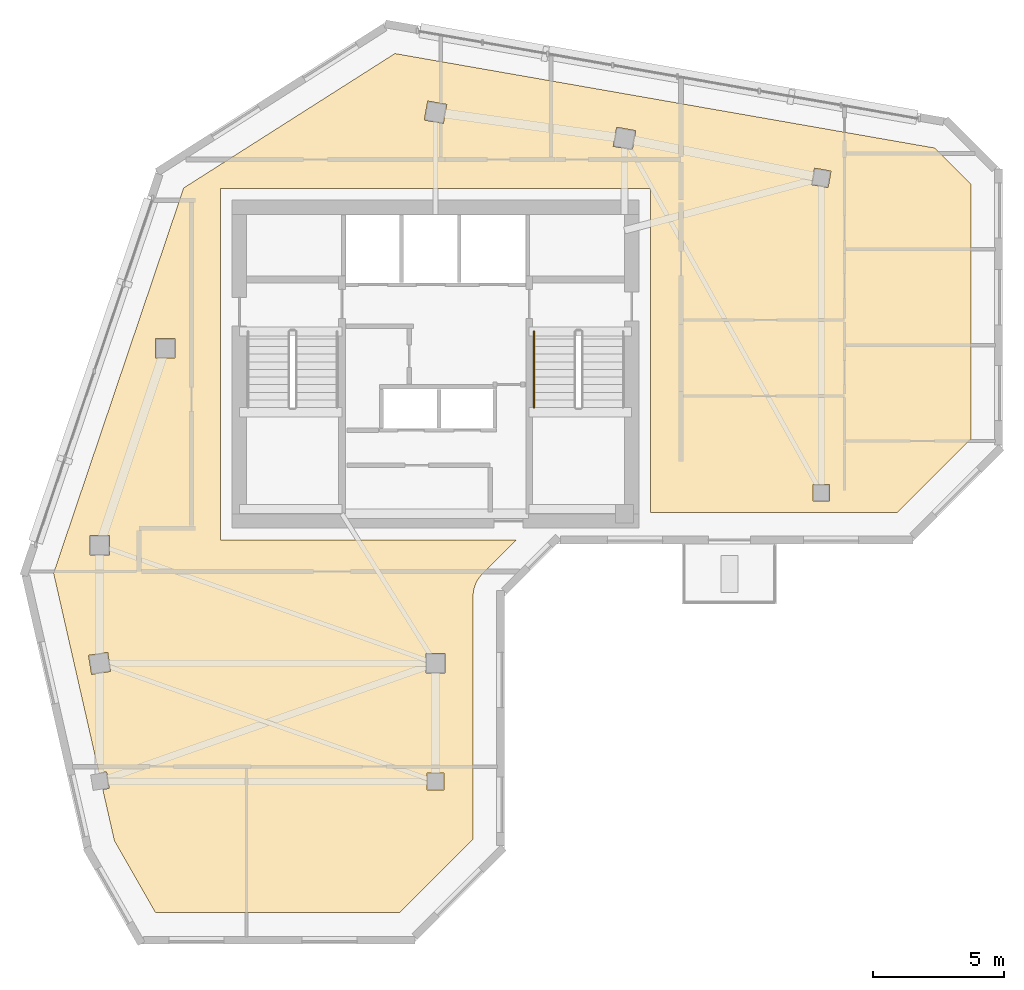
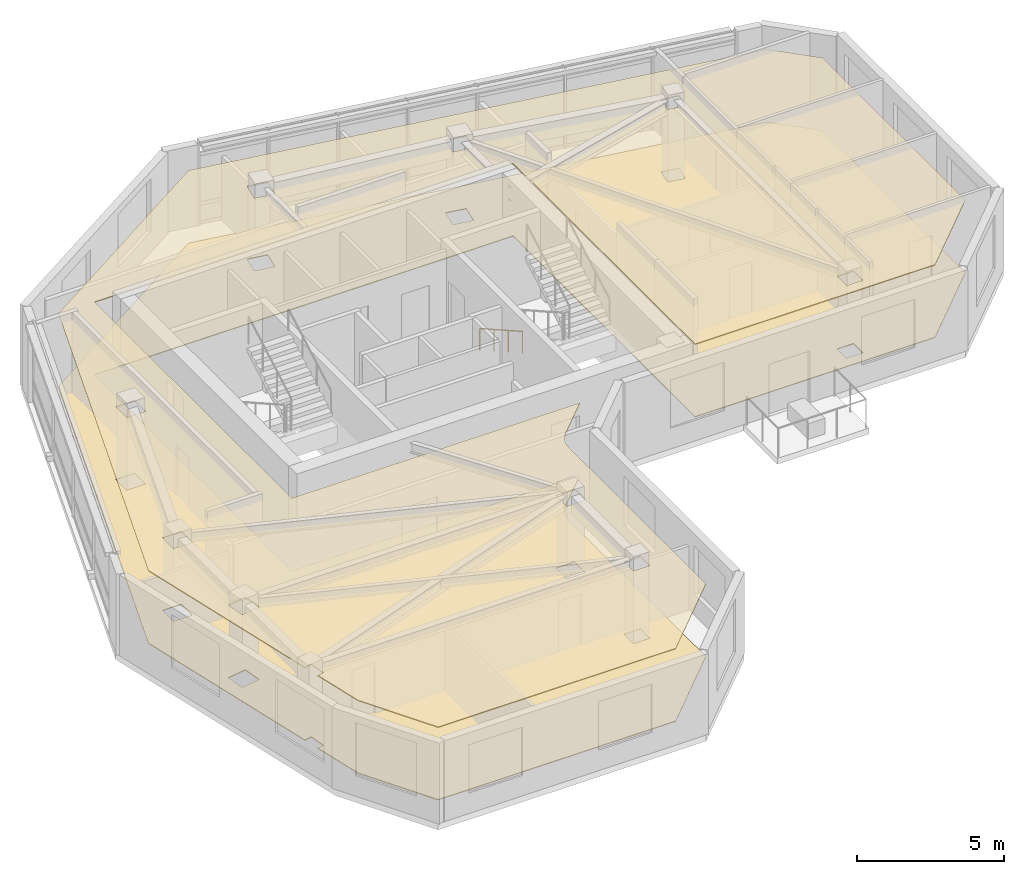
# One storey, part 8 of 9: 2 coverings, 1 railing.
"""IFC4 building model written with IfcOpenShell, lengths in metres."""

from ifc_helpers import new_model, si_unit, direction, frame, origin, origin_2d, place, context, subcontext, project, spatial, polyline, circle, outline, extrude, material, layer, layer_set, type_object, element, save


model = new_model("IFC4")

# Units and contexts
model_context = context("Model", 3, precision=1e-05, world=origin(), true_north=direction((0.0, 1.0)))
body_context = subcontext(model_context, "Body", "Model", "MODEL_VIEW")
ifc_project = project(units=[si_unit("LENGTHUNIT", "METRE"), si_unit("AREAUNIT", "SQUARE_METRE"), si_unit("VOLUMEUNIT", "CUBIC_METRE"), si_unit("PLANEANGLEUNIT", "RADIAN"), si_unit("MASSUNIT", "GRAM", prefix="KILO")], contexts=[model_context])

# Site, building, storey
site_placement = place(None, origin())
site = spatial("IfcSite", under=ifc_project, at=site_placement, CompositionType="ELEMENT")
building_placement = place(site_placement, origin())
building = spatial("IfcBuilding", under=site, at=building_placement, Name="Calvemar Wedge Station Tower", CompositionType="ELEMENT")
storey_placement = place(building_placement, frame((0.0, 0.0, 270.89990234375)))
storey = spatial("IfcBuildingStorey", under=building, at=storey_placement, Name="L69", CompositionType="ELEMENT", Elevation=270.89990234375)

# Coverings
ifc_material_1 = material(Name="Acoustic mineral fibre ceiling board")
ifc_layer_1 = layer(ifc_material_1, 0.0400390625)
ifc_layer_set_1 = layer_set([ifc_layer_1], Name="Acoustic mineral fibre ceiling board")
covering_type_1 = type_object("IfcCoveringType", Name="COV-CEIL-ACOUSTIC", PredefinedType="CEILING", material=ifc_layer_set_1)
covering_1_placement = place(storey_placement, frame((0.0, 0.0, 3.0)))
element("IfcCovering", 1, at=covering_1_placement, inside=storey, type_object=covering_type_1, Name="Storey L69 Acoustic Suspended Ceiling", PredefinedType="CEILING", context=body_context, shape_type="SweptSolid", body=[
    extrude(outline(polyline([(15.60009765625, 33.199951171875), (15.60009765625, 46.60009765625), (32.0, 46.60009765625), (32.0, 34.256103515625), (41.40283203125, 34.256103515625), (44.199951171875, 37.052978515625), (44.199951171875, 46.7587890625), (42.819580078125, 48.139404296875), (22.251708984375, 51.73779296875), (14.201416015625, 46.614990234375), (9.2451171875, 31.936279296875), (10.97607421875, 24.3203125), (11.265380859375, 24.36669921875), (11.36669921875, 23.734619140625), (11.118408203125, 23.69482421875), (11.5625, 21.740234375), (13.12841796875, 19.0), (22.434814453125, 19.0), (25.23193359375, 21.797119140625), (25.23193359375, 31.055908203125), (25.23779296875, 31.173583984375), (25.255126953125, 31.2900390625), (25.28369140625, 31.404296875), (25.3232421875, 31.51513671875), (25.373779296875, 31.62158203125), (25.43408203125, 31.72265625), (25.50439453125, 31.8173828125), (25.58349609375, 31.904541015625), (26.87890625, 33.199951171875), (15.60009765625, 33.199951171875)]), holes=[polyline([(11.3701171875, 33.3701171875), (11.3701171875, 32.6298828125), (10.6298828125, 32.6298828125), (10.6298828125, 33.3701171875), (11.3701171875, 33.3701171875)]), polyline([(13.8701171875, 40.1298828125), (13.1298828125, 40.1298828125), (13.1298828125, 40.8701171875), (13.8701171875, 40.8701171875), (13.8701171875, 40.1298828125)]), polyline([(23.370361328125, 49.201416015625), (23.50146484375, 49.9296875), (24.229736328125, 49.798583984375), (24.0986328125, 49.0703125), (23.370361328125, 49.201416015625)]), polyline([(30.701416015625, 48.9296875), (31.4296875, 48.798583984375), (31.298583984375, 48.0703125), (30.5703125, 48.201416015625), (30.701416015625, 48.9296875)]), polyline([(38.87158203125, 47.25830078125), (38.75830078125, 46.62841796875), (38.12841796875, 46.74169921875), (38.24169921875, 47.37158203125), (38.87158203125, 47.25830078125)]), polyline([(38.820068359375, 34.679931640625), (38.179931640625, 34.679931640625), (38.179931640625, 35.320068359375), (38.820068359375, 35.320068359375), (38.820068359375, 34.679931640625)]), polyline([(10.576171875, 28.806884765625), (11.306884765625, 28.923828125), (11.423828125, 28.193115234375), (10.693115234375, 28.076171875), (10.576171875, 28.806884765625)]), polyline([(24.169921875, 28.8701171875), (24.169921875, 28.1298828125), (23.429931640625, 28.1298828125), (23.429931640625, 28.8701171875), (24.169921875, 28.8701171875)]), polyline([(24.1201171875, 23.679931640625), (23.47998046875, 23.679931640625), (23.47998046875, 24.320068359375), (24.1201171875, 24.320068359375), (24.1201171875, 23.679931640625)])]), origin(), (0.0, 0.0, 1.0), 0.0400390625),
])
ifc_material_2 = material(Name="Honed coastal granite stone tile", Category="masonry")
ifc_layer_2 = layer(ifc_material_2, 0.030029296875)
ifc_layer_set_2 = layer_set([ifc_layer_2], Name="Honed coastal granite stone tile")
covering_type_2 = type_object("IfcCoveringType", Name="COV-FLR-STONE", PredefinedType="FLOORING", material=ifc_layer_set_2)
covering_2_placement = place(storey_placement, origin())
element("IfcCovering", 2, at=covering_2_placement, inside=storey, type_object=covering_type_2, Name="Storey L69 Architectural Floor Finish", PredefinedType="FLOORING", context=body_context, shape_type="SweptSolid", body=[
    extrude(outline(polyline([(15.60009765625, 33.199951171875), (15.60009765625, 46.60009765625), (32.0, 46.60009765625), (32.0, 34.256103515625), (41.40283203125, 34.256103515625), (44.199951171875, 37.052978515625), (44.199951171875, 46.7587890625), (42.819580078125, 48.139404296875), (22.251708984375, 51.73779296875), (14.201416015625, 46.614990234375), (9.2451171875, 31.936279296875), (10.97607421875, 24.3203125), (11.265380859375, 24.36669921875), (11.36669921875, 23.734619140625), (11.118408203125, 23.69482421875), (11.5625, 21.740234375), (13.12841796875, 19.0), (22.434814453125, 19.0), (25.23193359375, 21.797119140625), (25.23193359375, 31.055908203125), (25.23779296875, 31.173583984375), (25.255126953125, 31.2900390625), (25.28369140625, 31.404296875), (25.3232421875, 31.51513671875), (25.373779296875, 31.62158203125), (25.43408203125, 31.72265625), (25.50439453125, 31.8173828125), (25.58349609375, 31.904541015625), (26.87890625, 33.199951171875), (15.60009765625, 33.199951171875)]), holes=[polyline([(11.3701171875, 33.3701171875), (11.3701171875, 32.6298828125), (10.6298828125, 32.6298828125), (10.6298828125, 33.3701171875), (11.3701171875, 33.3701171875)]), polyline([(13.8701171875, 40.1298828125), (13.1298828125, 40.1298828125), (13.1298828125, 40.8701171875), (13.8701171875, 40.8701171875), (13.8701171875, 40.1298828125)]), polyline([(23.370361328125, 49.201416015625), (23.50146484375, 49.9296875), (24.229736328125, 49.798583984375), (24.0986328125, 49.0703125), (23.370361328125, 49.201416015625)]), polyline([(30.701416015625, 48.9296875), (31.4296875, 48.798583984375), (31.298583984375, 48.0703125), (30.5703125, 48.201416015625), (30.701416015625, 48.9296875)]), polyline([(38.87158203125, 47.25830078125), (38.75830078125, 46.62841796875), (38.12841796875, 46.74169921875), (38.24169921875, 47.37158203125), (38.87158203125, 47.25830078125)]), polyline([(38.820068359375, 34.679931640625), (38.179931640625, 34.679931640625), (38.179931640625, 35.320068359375), (38.820068359375, 35.320068359375), (38.820068359375, 34.679931640625)]), polyline([(10.576171875, 28.806884765625), (11.306884765625, 28.923828125), (11.423828125, 28.193115234375), (10.693115234375, 28.076171875), (10.576171875, 28.806884765625)]), polyline([(24.169921875, 28.8701171875), (24.169921875, 28.1298828125), (23.429931640625, 28.1298828125), (23.429931640625, 28.8701171875), (24.169921875, 28.8701171875)]), polyline([(24.1201171875, 23.679931640625), (23.47998046875, 23.679931640625), (23.47998046875, 24.320068359375), (24.1201171875, 24.320068359375), (24.1201171875, 23.679931640625)])]), origin(), (0.0, 0.0, 1.0), 0.030029296875),
])

# Railing
ifc_material_3 = material(Name="Stainless steel AISI 316L", Category="steel")
railing_type = type_object("IfcRailingType", Name="RL-HANDRAIL-920", PredefinedType="HANDRAIL", material=ifc_material_3)
railing_placement = place(storey_placement, frame((27.550048828125, 41.14990234375, 0.163818359375)))
element("IfcRailing", 3, at=railing_placement, inside=storey, type_object=railing_type, Name="L69 ST-C2 stair handrail 1", PredefinedType="HANDRAIL", context=body_context, shape_type="SweptSolid", body=[
    extrude(circle(Radius=0.02392578125, at=origin_2d()), frame((0.0, 0.0, 0.89599609375), z_axis=(0.0, -0.870928581787, 0.491409610636), x_axis=(1.0, 0.0, 0.0)), (0.0, 0.0, 1.0), 3.32958984375),
    extrude(circle(Radius=0.02099609375, at=origin_2d()), origin(), (0.0, 0.0, 1.0), 0.871826171875),
    extrude(circle(Radius=0.02099609375, at=origin_2d()), frame((0.0, -0.966552734375, 0.54541015625)), (0.0, 0.0, 1.0), 0.871826171875),
    extrude(circle(Radius=0.02099609375, at=origin_2d()), frame((0.0, -1.933349609375, 1.0908203125)), (0.0, 0.0, 1.0), 0.871826171875),
    extrude(circle(Radius=0.02099609375, at=origin_2d()), frame((0.0, -2.89990234375, 1.63623046875)), (0.0, 0.0, 1.0), 0.871826171875),
])

save(model, "model.ifc")
